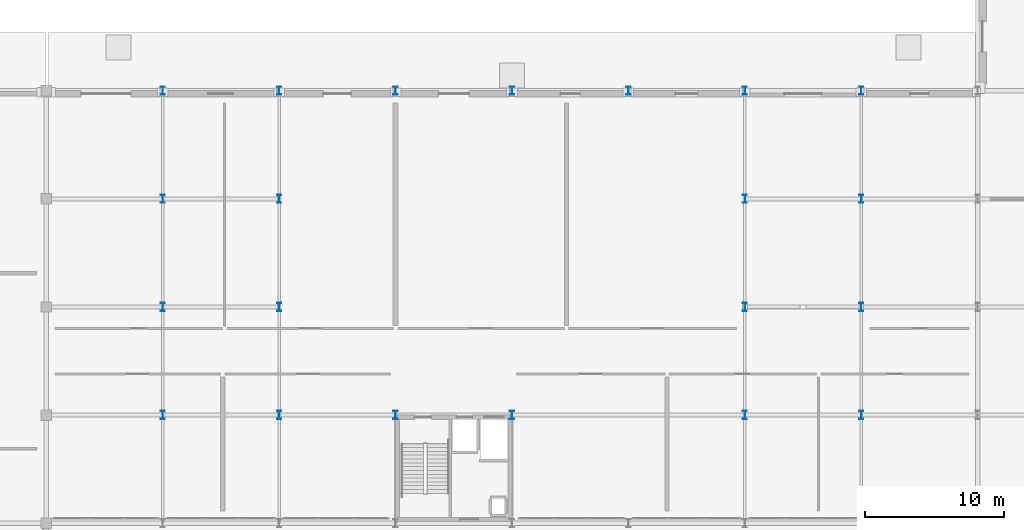
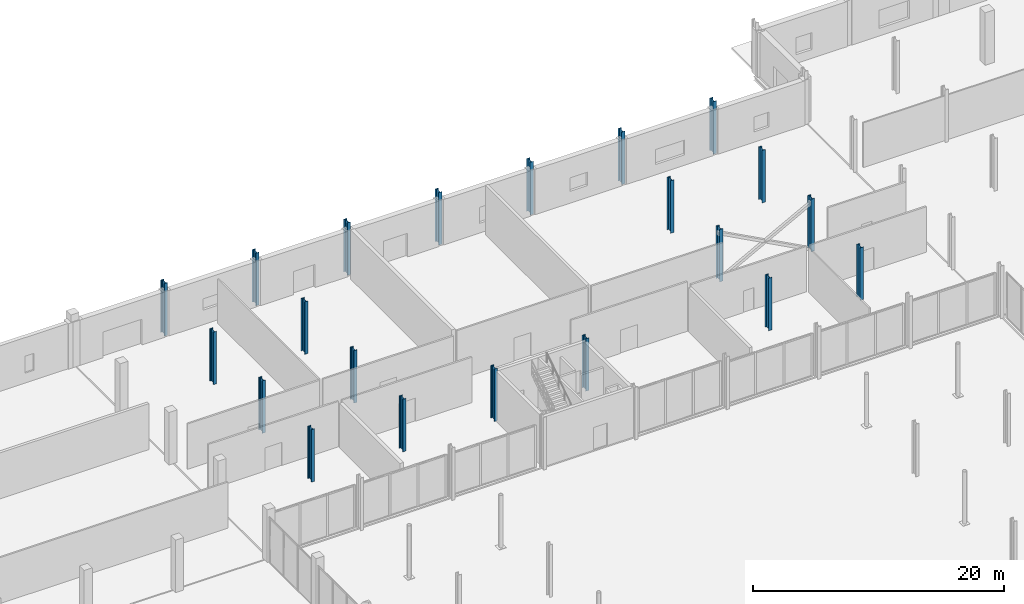
# One storey, part 11 of 80: 21 columns.
"""IFC4 building model written with IfcOpenShell, lengths in metres."""

from ifc_helpers import new_model, si_unit, direction, frame, origin, origin_2d, place, context, subcontext, project, spatial, i_section, extrude, material, material_profile, profile_set, type_object, element, save


model = new_model("IFC4")

# Units and contexts
model_context = context("Model", 3, precision=1e-05, world=origin(), true_north=direction((0.0, 1.0)))
body_context = subcontext(model_context, "Body", "Model", "MODEL_VIEW")
ifc_project = project(units=[si_unit("LENGTHUNIT", "METRE"), si_unit("AREAUNIT", "SQUARE_METRE"), si_unit("VOLUMEUNIT", "CUBIC_METRE"), si_unit("PLANEANGLEUNIT", "RADIAN"), si_unit("MASSUNIT", "GRAM", prefix="KILO")], contexts=[model_context])

# Site, building, storey
site_placement = place(None, origin())
site = spatial("IfcSite", under=ifc_project, at=site_placement, CompositionType="ELEMENT")
building_placement = place(site_placement, origin())
building = spatial("IfcBuilding", under=site, at=building_placement, Name="Nabrawat Pavilion Hospital", CompositionType="ELEMENT")
storey_placement = place(building_placement, origin())
storey = spatial("IfcBuildingStorey", under=building, at=storey_placement, Name="L00", CompositionType="ELEMENT", Elevation=0.0)

# Columns
ifc_material = material(Name="Steel S355", Category="steel")
ifc_material_profile = material_profile(ifc_material, i_section(OverallWidth=0.300048828125, OverallDepth=0.60009765625, WebThickness=0.015380859375, FlangeThickness=0.030029296875, FilletRadius=0.027099609375, at=origin_2d()), Name="HEB 600")
ifc_profile_set = profile_set([ifc_material_profile], Name="Steel S355")
column_type = type_object("IfcColumnType", Name="Composite Steel Column HEB 600", PredefinedType="COLUMN", material=ifc_profile_set)
for number, where, z_axis, x_axis, name in (
    (1, (75.60009765625, 93.60009765625, 0.0), (0.0, 0.0, 1.0), (1.0, 0.0, 0.0), "L00 Structural Column G-10-N"),
    (2, (75.60009765625, 101.39990234375, 0.0), (0.0, 0.0, 1.0), (1.0, 0.0, 0.0), "L00 Structural Column G-10-P"),
    (3, (75.60009765625, 109.199951171875, 0.0), (0.0, 0.0, 1.0), (1.0, 0.0, 0.0), "L00 Structural Column G-10-Q"),
    (4, (75.60009765625, 117.0, 0.0), (0.0, 0.0, 1.0), (1.0, 0.0, 0.0), "L00 Structural Column G-10-R"),
    (5, (84.0, 93.60009765625, 0.0), (0.0, 0.0, 1.0), (1.0, 0.0, 0.0), "L00 Structural Column G-11-N"),
    (6, (84.0, 117.0, 0.0), (0.0, 0.0, 1.0), (1.0, 0.0, 0.0), "L00 Structural Column G-11-R"),
    (7, (92.39990234375, 93.60009765625, 0.0), (0.0, 0.0, 1.0), (1.0, 0.0, 0.0), "L00 Structural Column G-12-N"),
    (8, (92.39990234375, 117.0, 0.0), (0.0, 0.0, 1.0), (1.0, 0.0, 0.0), "L00 Structural Column G-12-R"),
    (9, (100.800048828125, 117.0, 0.0), (0.0, 0.0, 1.0), (1.0, 0.0, 0.0), "L00 Structural Column G-13-R"),
    (10, (109.199951171875, 93.60009765625, 0.0), (0.0, 0.0, 1.0), (1.0, 0.0, 0.0), "L00 Structural Column G-14-N"),
    (11, (109.199951171875, 101.39990234375, 0.0), (0.0, 0.0, 1.0), (1.0, 0.0, 0.0), "L00 Structural Column G-14-P"),
    (12, (109.199951171875, 109.199951171875, 0.0), (0.0, 0.0, 1.0), (1.0, 0.0, 0.0), "L00 Structural Column G-14-Q"),
    (13, (109.199951171875, 117.0, 0.0), (0.0, 0.0, 1.0), (1.0, 0.0, 0.0), "L00 Structural Column G-14-R"),
    (14, (117.60009765625, 93.60009765625, 0.0), (0.0, 0.0, 1.0), (1.0, 0.0, 0.0), "L00 Structural Column G-15-N"),
    (15, (117.60009765625, 101.39990234375, 0.0), (0.0, 0.0, 1.0), (1.0, 0.0, 0.0), "L00 Structural Column G-15-P"),
    (16, (117.60009765625, 109.199951171875, 0.0), (0.0, 0.0, 1.0), (1.0, 0.0, 0.0), "L00 Structural Column G-15-Q"),
    (17, (117.60009765625, 117.0, 0.0), (0.0, 0.0, 1.0), (1.0, 0.0, 0.0), "L00 Structural Column G-15-R"),
    (18, (67.199951171875, 93.60009765625, 0.0), (0.0, 0.0, 1.0), (1.0, 0.0, 0.0), "L00 Structural Column G-9-N"),
    (19, (67.199951171875, 101.39990234375, 0.0), (0.0, 0.0, 1.0), (1.0, 0.0, 0.0), "L00 Structural Column G-9-P"),
    (20, (67.199951171875, 109.199951171875, 0.0), (0.0, 0.0, 1.0), (1.0, 0.0, 0.0), "L00 Structural Column G-9-Q"),
    (21, (67.199951171875, 117.0, 0.0), (0.0, 0.0, 1.0), (1.0, 0.0, 0.0), "L00 Structural Column G-9-R"),
):
    element("IfcColumn", number, at=place(storey_placement, frame(where, z_axis=z_axis, x_axis=x_axis)), inside=storey, type_object=column_type, Name=name, PredefinedType="COLUMN", context=body_context, shape_type="SweptSolid", body=[
        extrude(i_section(OverallWidth=0.300048828125, OverallDepth=0.60009765625, WebThickness=0.015380859375, FlangeThickness=0.030029296875, FilletRadius=0.027099609375, at=origin_2d()), origin(), (0.0, 0.0, 1.0), 5.10009765625),
    ])

save(model, "model.ifc")
